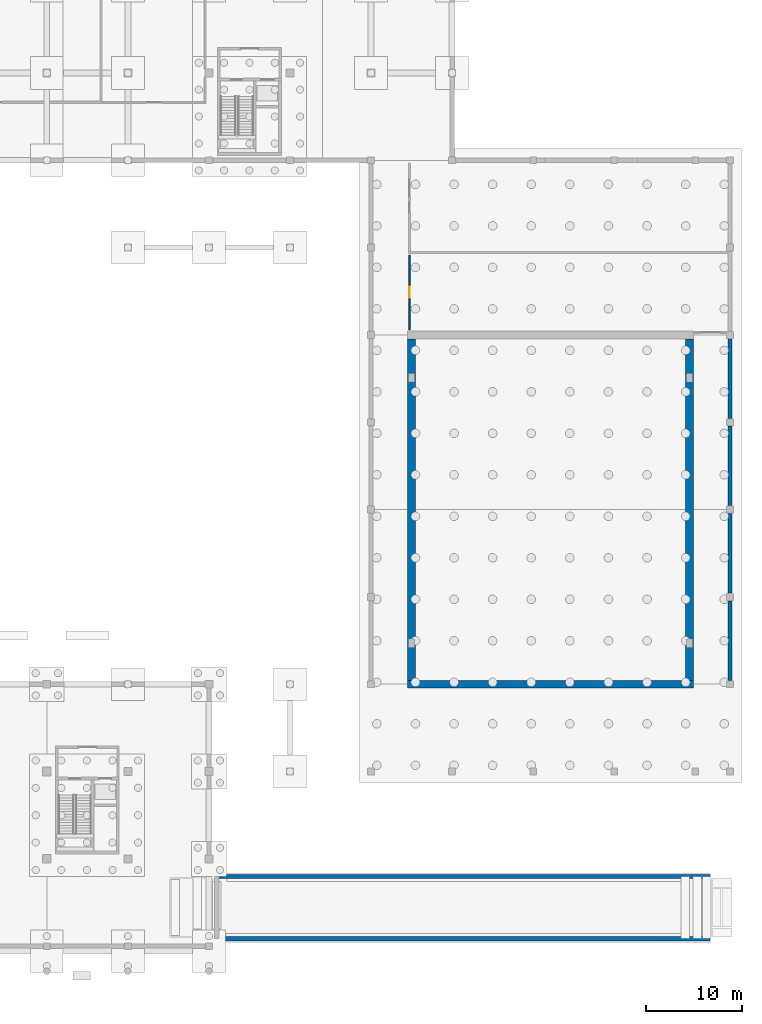
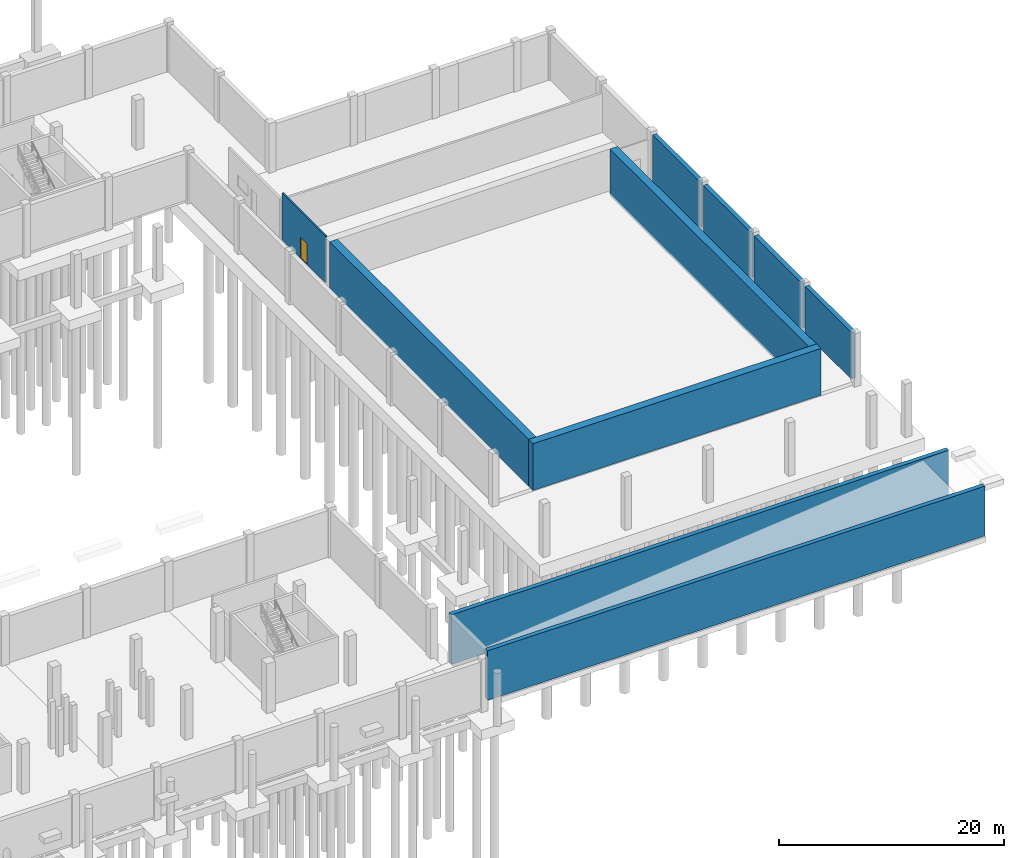
# One storey, part 11 of 18: 10 walls, 1 door, 1 opening.
"""IFC4 building model written with IfcOpenShell, lengths in metres."""

from ifc_helpers import new_model, si_unit, direction, frame, frame_2d, origin, place, context, subcontext, project, spatial, rectangle, extrude, material, layer, layer_set, type_object, element, fill, save


model = new_model("IFC4")

# Units and contexts
model_context = context("Model", 3, precision=1e-05, world=origin(), true_north=direction((0.0, 1.0)))
body_context = subcontext(model_context, "Body", "Model", "MODEL_VIEW")
ifc_project = project(units=[si_unit("LENGTHUNIT", "METRE"), si_unit("AREAUNIT", "SQUARE_METRE"), si_unit("VOLUMEUNIT", "CUBIC_METRE"), si_unit("PLANEANGLEUNIT", "RADIAN"), si_unit("MASSUNIT", "GRAM", prefix="KILO")], contexts=[model_context])

# Site, building, storey
site_placement = place(None, origin())
site = spatial("IfcSite", under=ifc_project, at=site_placement, CompositionType="ELEMENT")
building_placement = place(site_placement, origin())
building = spatial("IfcBuilding", under=site, at=building_placement, Name="Khurvash Pelagic Aquarium", CompositionType="ELEMENT")
storey_placement = place(building_placement, frame((0.0, 0.0, -5.39990234375)))
storey = spatial("IfcBuildingStorey", under=building, at=storey_placement, Name="B1", CompositionType="ELEMENT", Elevation=-5.39990234375)

# Wall, opening, door
ifc_material_1 = material(Name="AAC blockwork", Category="masonry")
ifc_layer_1 = layer(ifc_material_1, 0.169921875)
ifc_layer_set_1 = layer_set([ifc_layer_1], Name="AAC blockwork")
wall_type_1 = type_object("IfcWallType", Name="PW-170", PredefinedType="PARTITIONING", material=ifc_layer_set_1)
wall_1_placement = place(storey_placement, frame((130.0, 66.485107421875, 0.0), z_axis=(0.0, 0.0, 1.0), x_axis=(0.0, 1.0, 0.0)))
wall_1 = element("IfcWall", 1, at=wall_1_placement, inside=storey, type_object=wall_type_1, Name="B1 Seawater Balance and Backwash Sump Hall Partition Wall PW-170", PredefinedType="PARTITIONING", context=body_context, shape_type="SweptSolid", body=[
    extrude(rectangle(XDim=7.72998046875, YDim=0.169921875, at=frame_2d((3.864990234375, 0.0))), origin(), (0.0, 0.0, 1.0), 5.079833984375),
])
opening_placement = place(wall_1_placement, frame((3.294921875, 0.0, 0.0)))
opening = element("IfcOpeningElement", 2, at=opening_placement, cuts=wall_1, Name="Opening ID-40", PredefinedType="OPENING", context=body_context, shape_type="SweptSolid", body=[
    extrude(rectangle(XDim=1.139892578125, YDim=2.280029296875, at=frame_2d((0.56982421875, 1.14013671875))), frame((0.0, 0.094970703125, 0.0), z_axis=(0.0, -1.0, 0.0), x_axis=(1.0, 0.0, 0.0)), (0.0, 0.0, 1.0), 0.18994140625),
])
ifc_material_2 = material(Name="FRP husbandry prep door", Category="wood")
door_type = type_object("IfcDoorType", Name="ID-40", OperationType="NOTDEFINED", PredefinedType="DOOR", material=ifc_material_2)
door_placement = place(opening_placement, frame((1.139892578125, 0.0, 0.0), z_axis=(0.0, 0.0, 1.0), x_axis=(-1.0, 0.0, 0.0)))
door = element("IfcDoor", 3, at=door_placement, inside=storey, type_object=door_type, Name="DR-0024", OperationType="SINGLE_SWING_LEFT", OverallHeight=2.280029296875, OverallWidth=1.139892578125, PredefinedType="DOOR", context=body_context, shape_type="SweptSolid", body=[
    extrude(rectangle(XDim=1.139892578125, YDim=2.280029296875, at=frame_2d((0.56982421875, 1.14013671875))), frame((0.0, 0.02490234375, 0.0), z_axis=(0.0, -1.0, 0.0), x_axis=(1.0, 0.0, 0.0)), (0.0, 0.0, 1.0), 0.050048828125),
])
fill(opening, door)

# Walls
ifc_material_3 = material(Name="Concrete C40/50", Category="concrete")
ifc_layer_2 = layer(ifc_material_3, 0.449951171875)
ifc_layer_set_2 = layer_set([ifc_layer_2], Name="Concrete C40/50")
wall_type_2 = type_object("IfcWallType", Name="RW-450", PredefinedType="USERDEFINED", material=ifc_layer_set_2)
for number, where, z_axis, x_axis, name in (
    (4, (163.199951171875, 65.550048828125, 0.0), (0.0, 0.0, 1.0), (0.0, -1.0, 0.0), "B1 Perimeter Waterproofed Retaining Wall RW-450"),
    (5, (163.199951171875, 56.5, 0.0), (0.0, 0.0, 1.0), (0.0, -1.0, 0.0), "B1 Perimeter Waterproofed Retaining Wall RW-450"),
    (6, (163.199951171875, 47.449951171875, 0.0), (0.0, 0.0, 1.0), (0.0, -1.0, 0.0), "B1 Perimeter Waterproofed Retaining Wall RW-450"),
    (7, (163.199951171875, 38.39990234375, 0.0), (0.0, 0.0, 1.0), (0.0, -1.0, 0.0), "B1 Perimeter Waterproofed Retaining Wall RW-450"),
):
    element("IfcWall", number, at=place(storey_placement, frame(where, z_axis=z_axis, x_axis=x_axis)), inside=storey, type_object=wall_type_2, Name=name, ObjectType="RETAINING WALL", PredefinedType="USERDEFINED", context=body_context, shape_type="SweptSolid", body=[
        extrude(rectangle(XDim=8.25, YDim=0.449951171875, at=frame_2d((4.125, 0.0))), origin(), (0.0, 0.0, 1.0), 5.079833984375),
    ])
for number, where, z_axis, x_axis, name in (
    (8, (110.010009765625, 3.3798828125, 0.0), (0.0, 0.0, 1.0), (1.0, 0.0, 0.0), "B1 Car Park Ramp South Retaining Wall"),
    (9, (110.010009765625, 9.820068359375, 0.0), (0.0, 0.0, 1.0), (1.0, 0.0, 0.0), "B1 Car Park Ramp North Retaining Wall"),
):
    element("IfcWall", number, at=place(storey_placement, frame(where, z_axis=z_axis, x_axis=x_axis)), inside=storey, type_object=wall_type_2, Name=name, ObjectType="RETAINING WALL", PredefinedType="USERDEFINED", context=body_context, shape_type="SweptSolid", body=[
        extrude(rectangle(XDim=51.110107421875, YDim=0.449951171875, at=frame_2d((25.55517578125, 0.0))), origin(), (0.0, 0.0, 1.0), 5.39990234375),
    ])
ifc_material_4 = material(Name="Water-retaining concrete C40/50", Category="concrete")
ifc_layer_3 = layer(ifc_material_4, 0.800048828125)
ifc_layer_set_3 = layer_set([ifc_layer_3], Name="Water-retaining concrete C40/50")
wall_type_3 = type_object("IfcWallType", Name="TW-800", PredefinedType="SOLIDWALL", material=ifc_layer_set_3)
wall_2_placement = place(storey_placement, frame((129.800048828125, 29.75, 0.0), z_axis=(0.0, 0.0, 1.0), x_axis=(1.0, 0.0, 0.0)))
element("IfcWall", 10, at=wall_2_placement, inside=storey, type_object=wall_type_3, Name="B1 Ocean Tank South Containment Wall TW-800", PredefinedType="SOLIDWALL", context=body_context, shape_type="SweptSolid", body=[
    extrude(rectangle(XDim=29.599853515625, YDim=0.800048828125, at=frame_2d((14.7998046875, 0.0))), origin(), (0.0, 0.0, 1.0), 5.079833984375),
])
for number, where, z_axis, x_axis, name in (
    (11, (130.199951171875, 30.14990234375, 0.0), (0.0, 0.0, 1.0), (0.0, 1.0, 0.0), "B1 Ocean Tank West Containment Wall TW-800"),
    (12, (159.0, 30.14990234375, 0.0), (0.0, 0.0, 1.0), (0.0, 1.0, 0.0), "B1 Ocean Tank East Containment Wall TW-800"),
):
    element("IfcWall", number, at=place(storey_placement, frame(where, z_axis=z_axis, x_axis=x_axis)), inside=storey, type_object=wall_type_3, Name=name, PredefinedType="SOLIDWALL", context=body_context, shape_type="SweptSolid", body=[
        extrude(rectangle(XDim=35.400146484375, YDim=0.800048828125, at=frame_2d((17.7001953125, 0.0))), origin(), (0.0, 0.0, 1.0), 5.079833984375),
    ])

save(model, "model.ifc")
